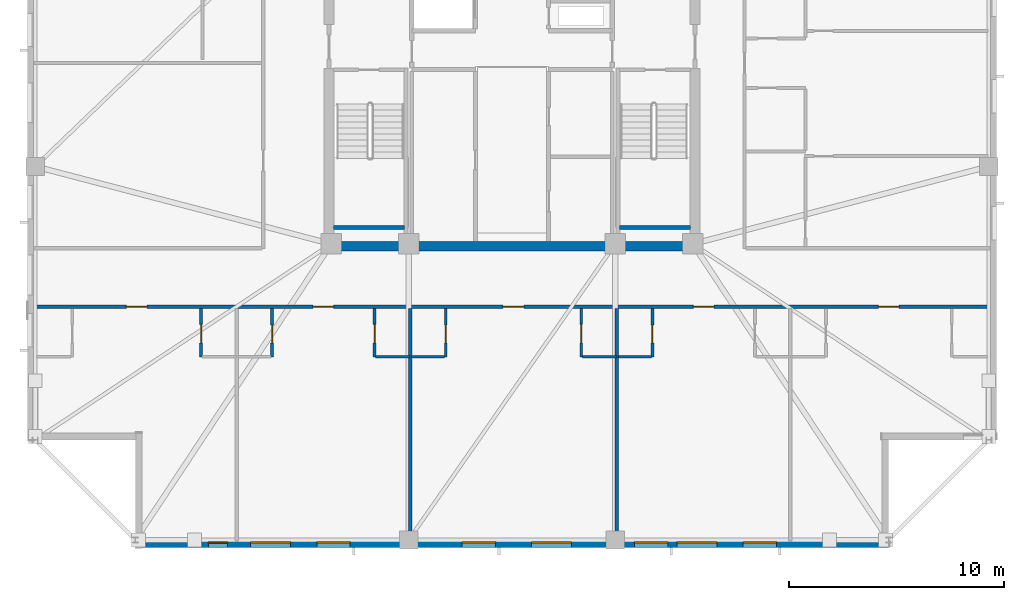
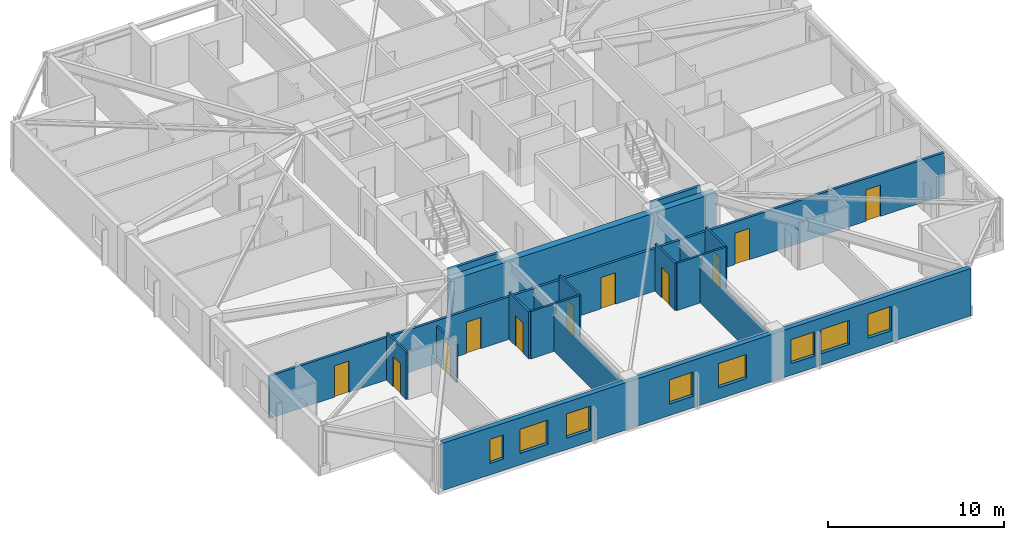
# One storey, part 7 of 17: 17 walls, 11 doors, 8 windows, 19 openings.
"""IFC4 building model written with IfcOpenShell, lengths in metres."""

from ifc_helpers import new_model, si_unit, direction, frame, frame_2d, origin, place, context, subcontext, project, spatial, rectangle, extrude, material, layer, layer_set, type_object, element, fill, save


model = new_model("IFC4")

# Units and contexts
model_context = context("Model", 3, precision=1e-05, world=origin(), true_north=direction((0.0, 1.0)))
body_context = subcontext(model_context, "Body", "Model", "MODEL_VIEW")
ifc_project = project(units=[si_unit("LENGTHUNIT", "METRE"), si_unit("AREAUNIT", "SQUARE_METRE"), si_unit("VOLUMEUNIT", "CUBIC_METRE"), si_unit("PLANEANGLEUNIT", "RADIAN"), si_unit("MASSUNIT", "GRAM", prefix="KILO")], contexts=[model_context])

# Site, building, storey
site_placement = place(None, origin())
site = spatial("IfcSite", under=ifc_project, at=site_placement, CompositionType="ELEMENT")
building_placement = place(site_placement, origin())
building = spatial("IfcBuilding", under=site, at=building_placement, Name="Cairnveth Concourse Tower", CompositionType="ELEMENT")
storey_placement = place(building_placement, frame((0.0, 0.0, 220.0)))
storey = spatial("IfcBuildingStorey", under=building, at=storey_placement, Name="L60", CompositionType="ELEMENT", Elevation=220.0)

# Wall, openings, doors
ifc_material_1 = material(Name="Gypsum Plasterboard Partition", Category="gypsum")
ifc_layer_1 = layer(ifc_material_1, 0.159912109375)
ifc_layer_set_1 = layer_set([ifc_layer_1], Name="Gypsum Plasterboard Partition")
wall_type_1 = type_object("IfcWallType", Name="ACOUSTIC PARTY WALL 180", PredefinedType="PARTITIONING", material=ifc_layer_set_1)
wall_1_placement = place(storey_placement, frame((29.804931640625, 27.68994140625, 0.0), z_axis=(0.0, 0.0, 1.0), x_axis=(1.0, 0.0, 0.0)))
wall_1 = element("IfcWall", 1, at=wall_1_placement, inside=storey, type_object=wall_type_1, Name="Interior Wall IW-L60-034", PredefinedType="PARTITIONING", context=body_context, shape_type="SweptSolid", body=[
    extrude(rectangle(XDim=44.39013671875, YDim=0.159912109375, at=frame_2d((22.195068359375, 0.0))), origin(), (0.0, 0.0, 1.0), 2.9580078125),
])
opening_1_placement = place(wall_1_placement, frame((4.278564453125, 0.0, 0.0)))
opening_1 = element("IfcOpeningElement", 2, at=opening_1_placement, cuts=wall_1, Name="Opening ID10", PredefinedType="OPENING", context=body_context, shape_type="SweptSolid", body=[
    extrude(rectangle(XDim=0.9599609375, YDim=2.179931640625, at=frame_2d((0.47998046875, 1.08984375))), frame((0.0, 0.08984375, 0.0), z_axis=(0.0, -1.0, 0.0), x_axis=(1.0, 0.0, 0.0)), (0.0, 0.0, 1.0), 0.179931640625),
])
opening_2_placement = place(wall_1_placement, frame((12.952880859375, 0.0, 0.0)))
opening_2 = element("IfcOpeningElement", 3, at=opening_2_placement, cuts=wall_1, Name="Opening ID10", PredefinedType="OPENING", context=body_context, shape_type="SweptSolid", body=[
    extrude(rectangle(XDim=0.9599609375, YDim=2.179931640625, at=frame_2d((0.47998046875, 1.08984375))), frame((0.0, 0.08984375, 0.0), z_axis=(0.0, -1.0, 0.0), x_axis=(1.0, 0.0, 0.0)), (0.0, 0.0, 1.0), 0.179931640625),
])
opening_3_placement = place(wall_1_placement, frame((21.784912109375, 0.0, 0.0)))
opening_3 = element("IfcOpeningElement", 4, at=opening_3_placement, cuts=wall_1, Name="Opening ID10", PredefinedType="OPENING", context=body_context, shape_type="SweptSolid", body=[
    extrude(rectangle(XDim=0.9599609375, YDim=2.179931640625, at=frame_2d((0.47998046875, 1.08984375))), frame((0.0, 0.08984375, 0.0), z_axis=(0.0, -1.0, 0.0), x_axis=(1.0, 0.0, 0.0)), (0.0, 0.0, 1.0), 0.179931640625),
])
opening_4_placement = place(wall_1_placement, frame((30.616943359375, 0.0, 0.0)))
opening_4 = element("IfcOpeningElement", 5, at=opening_4_placement, cuts=wall_1, Name="Opening ID10", PredefinedType="OPENING", context=body_context, shape_type="SweptSolid", body=[
    extrude(rectangle(XDim=0.9599609375, YDim=2.179931640625, at=frame_2d((0.47998046875, 1.08984375))), frame((0.0, 0.08984375, 0.0), z_axis=(0.0, -1.0, 0.0), x_axis=(1.0, 0.0, 0.0)), (0.0, 0.0, 1.0), 0.179931640625),
])
opening_5_placement = place(wall_1_placement, frame((39.221435546875, 0.0, 0.0)))
opening_5 = element("IfcOpeningElement", 6, at=opening_5_placement, cuts=wall_1, Name="Opening ID10", PredefinedType="OPENING", context=body_context, shape_type="SweptSolid", body=[
    extrude(rectangle(XDim=0.9599609375, YDim=2.179931640625, at=frame_2d((0.47998046875, 1.08984375))), frame((0.0, 0.08984375, 0.0), z_axis=(0.0, -1.0, 0.0), x_axis=(1.0, 0.0, 0.0)), (0.0, 0.0, 1.0), 0.179931640625),
])
ifc_material_2 = material(Name="Solid Core Hardwood Timber Leaf", Category="wood")
door_type_1 = type_object("IfcDoorType", Name="FLAT ENTRANCE DOOR 960X2150", OperationType="NOTDEFINED", PredefinedType="DOOR", material=ifc_material_2)
door_1_placement = place(opening_1_placement, origin())
door_1 = element("IfcDoor", 7, at=door_1_placement, inside=storey, type_object=door_type_1, Name="Studio L60STS1 Entrance Door", OperationType="SINGLE_SWING_LEFT", OverallHeight=2.179931640625, OverallWidth=0.9599609375, PredefinedType="DOOR", context=body_context, shape_type="SweptSolid", body=[
    extrude(rectangle(XDim=0.9599609375, YDim=2.179931640625, at=frame_2d((0.47998046875, 1.08984375))), frame((0.0, 0.02490234375, 0.0), z_axis=(0.0, -1.0, 0.0), x_axis=(1.0, 0.0, 0.0)), (0.0, 0.0, 1.0), 0.050048828125),
])
fill(opening_1, door_1)
door_2_placement = place(opening_2_placement, origin())
door_2 = element("IfcDoor", 8, at=door_2_placement, inside=storey, type_object=door_type_1, Name="Studio L60STS2 Entrance Door", OperationType="SINGLE_SWING_RIGHT", OverallHeight=2.179931640625, OverallWidth=0.9599609375, PredefinedType="DOOR", context=body_context, shape_type="SweptSolid", body=[
    extrude(rectangle(XDim=0.9599609375, YDim=2.179931640625, at=frame_2d((0.47998046875, 1.08984375))), frame((0.0, 0.02490234375, 0.0), z_axis=(0.0, -1.0, 0.0), x_axis=(1.0, 0.0, 0.0)), (0.0, 0.0, 1.0), 0.050048828125),
])
fill(opening_2, door_2)
door_3_placement = place(opening_3_placement, origin())
door_3 = element("IfcDoor", 9, at=door_3_placement, inside=storey, type_object=door_type_1, Name="Studio L60STS3 Entrance Door", OperationType="SINGLE_SWING_LEFT", OverallHeight=2.179931640625, OverallWidth=0.9599609375, PredefinedType="DOOR", context=body_context, shape_type="SweptSolid", body=[
    extrude(rectangle(XDim=0.9599609375, YDim=2.179931640625, at=frame_2d((0.47998046875, 1.08984375))), frame((0.0, 0.02490234375, 0.0), z_axis=(0.0, -1.0, 0.0), x_axis=(1.0, 0.0, 0.0)), (0.0, 0.0, 1.0), 0.050048828125),
])
fill(opening_3, door_3)
door_4_placement = place(opening_4_placement, origin())
door_4 = element("IfcDoor", 10, at=door_4_placement, inside=storey, type_object=door_type_1, Name="Studio L60STS4 Entrance Door", OperationType="SINGLE_SWING_RIGHT", OverallHeight=2.179931640625, OverallWidth=0.9599609375, PredefinedType="DOOR", context=body_context, shape_type="SweptSolid", body=[
    extrude(rectangle(XDim=0.9599609375, YDim=2.179931640625, at=frame_2d((0.47998046875, 1.08984375))), frame((0.0, 0.02490234375, 0.0), z_axis=(0.0, -1.0, 0.0), x_axis=(1.0, 0.0, 0.0)), (0.0, 0.0, 1.0), 0.050048828125),
])
fill(opening_4, door_4)
door_5_placement = place(opening_5_placement, origin())
door_5 = element("IfcDoor", 11, at=door_5_placement, inside=storey, type_object=door_type_1, Name="Studio L60STS5 Entrance Door", OperationType="SINGLE_SWING_LEFT", OverallHeight=2.179931640625, OverallWidth=0.9599609375, PredefinedType="DOOR", context=body_context, shape_type="SweptSolid", body=[
    extrude(rectangle(XDim=0.9599609375, YDim=2.179931640625, at=frame_2d((0.47998046875, 1.08984375))), frame((0.0, 0.02490234375, 0.0), z_axis=(0.0, -1.0, 0.0), x_axis=(1.0, 0.0, 0.0)), (0.0, 0.0, 1.0), 0.050048828125),
])
fill(opening_5, door_5)

# Walls
for number, where, z_axis, x_axis, name in (
    (12, (47.26904296875, 16.804931640625, 0.0), (0.0, 0.0, 1.0), (0.0, 1.0, 0.0), "Interior Wall IW-L60-051"),
    (13, (56.87109375, 16.804931640625, 0.0), (0.0, 0.0, 1.0), (0.0, 1.0, 0.0), "Interior Wall IW-L60-056"),
):
    element("IfcWall", number, at=place(storey_placement, frame(where, z_axis=z_axis, x_axis=x_axis)), inside=storey, type_object=wall_type_1, Name=name, PredefinedType="PARTITIONING", context=body_context, shape_type="SweptSolid", body=[
        extrude(rectangle(XDim=10.80517578125, YDim=0.159912109375, at=frame_2d((5.402587890625, 0.0))), origin(), (0.0, 0.0, 1.0), 2.572998046875),
    ])
ifc_material_3 = material(Name="Concrete N65 (65 MPa)", Category="concrete")
ifc_layer_2 = layer(ifc_material_3, 0.449951171875)
ifc_layer_set_2 = layer_set([ifc_layer_2], Name="Concrete N65 (65 MPa)")
wall_type_2 = type_object("IfcWallType", Name="CORE SHEAR WALL 450", PredefinedType="SHEAR", material=ifc_layer_set_2)
wall_2_placement = place(storey_placement, frame((43.27490234375, 30.5, 0.0), z_axis=(0.0, 0.0, 1.0), x_axis=(1.0, 0.0, 0.0)))
element("IfcWall", 14, at=wall_2_placement, inside=storey, type_object=wall_type_2, Name="Core South Shear Wall L60", PredefinedType="SHEAR", context=body_context, shape_type="SweptSolid", body=[
    extrude(rectangle(XDim=17.4501953125, YDim=0.449951171875, at=frame_2d((8.72509765625, 0.0))), origin(), (0.0, 0.0, 1.0), 3.2900390625),
])
ifc_material_4 = material(Name="Concrete N50 (50 MPa)", Category="concrete")
ifc_layer_3 = layer(ifc_material_4, 0.179931640625)
ifc_layer_set_3 = layer_set([ifc_layer_3], Name="Concrete N50 (50 MPa)")
wall_type_3 = type_object("IfcWallType", Name="FIRE SHAFT WALL 180", PredefinedType="SOLIDWALL", material=ifc_layer_set_3)
for number, where, z_axis, x_axis, name in (
    (15, (43.715087890625, 31.360107421875, 0.0), (0.0, 0.0, 1.0), (1.0, 0.0, 0.0), "Stair ST-1 Shaft Wall FAR L60"),
    (16, (57.0048828125, 31.360107421875, 0.0), (0.0, 0.0, 1.0), (1.0, 0.0, 0.0), "Stair ST-2 Shaft Wall FAR L60"),
):
    element("IfcWall", number, at=place(storey_placement, frame(where, z_axis=z_axis, x_axis=x_axis)), inside=storey, type_object=wall_type_3, Name=name, PredefinedType="SOLIDWALL", context=body_context, shape_type="SweptSolid", body=[
        extrude(rectangle(XDim=3.280029296875, YDim=0.179931640625, at=frame_2d((1.64013671875, 0.0))), origin(), (0.0, 0.0, 1.0), 3.2900390625),
    ])

# Wall, opening, door
ifc_layer_4 = layer(ifc_material_1, 0.1298828125)
ifc_layer_set_4 = layer_set([ifc_layer_4], Name="Gypsum Plasterboard Partition")
wall_type_4 = type_object("IfcWallType", Name="WET AREA PARTITION 140", PredefinedType="PLUMBINGWALL", material=ifc_layer_set_4)
wall_3_placement = place(storey_placement, frame((37.556884765625, 25.360107421875, 0.0), z_axis=(0.0, 0.0, 1.0), x_axis=(0.0, 1.0, 0.0)))
wall_3 = element("IfcWall", 17, at=wall_3_placement, inside=storey, type_object=wall_type_4, Name="Interior Wall IW-L60-044", PredefinedType="PLUMBINGWALL", context=body_context, shape_type="SweptSolid", body=[
    extrude(rectangle(XDim=2.25, YDim=0.1298828125, at=frame_2d((1.125, 0.0))), origin(), (0.0, 0.0, 1.0), 3.2900390625),
])
opening_6_placement = place(wall_3_placement, frame((0.64990234375, 0.0, 0.0)))
opening_6 = element("IfcOpeningElement", 18, at=opening_6_placement, cuts=wall_3, Name="Opening ID20", PredefinedType="OPENING", context=body_context, shape_type="SweptSolid", body=[
    extrude(rectangle(XDim=0.85009765625, YDim=2.10009765625, at=frame_2d((0.425048828125, 1.050048828125))), frame((0.0, 0.074951171875, 0.0), z_axis=(0.0, -1.0, 0.0), x_axis=(1.0, 0.0, 0.0)), (0.0, 0.0, 1.0), 0.14990234375),
])
door_type_2 = type_object("IfcDoorType", Name="INTERIOR SINGLE DOOR 850X2100", OperationType="NOTDEFINED", PredefinedType="DOOR", material=ifc_material_2)
door_6_placement = place(opening_6_placement, origin())
door_6 = element("IfcDoor", 19, at=door_6_placement, inside=storey, type_object=door_type_2, Name="L60STS1 Kitchen Door", OperationType="SINGLE_SWING_RIGHT", OverallHeight=2.10009765625, OverallWidth=0.85009765625, PredefinedType="DOOR", context=body_context, shape_type="SweptSolid", body=[
    extrude(rectangle(XDim=0.85009765625, YDim=2.10009765625, at=frame_2d((0.425048828125, 1.050048828125))), frame((0.0, 0.02490234375, 0.0), z_axis=(0.0, -1.0, 0.0), x_axis=(1.0, 0.0, 0.0)), (0.0, 0.0, 1.0), 0.050048828125),
])
fill(opening_6, door_6)

wall_4_placement = place(storey_placement, frame((40.85693359375, 25.360107421875, 0.0), z_axis=(0.0, 0.0, 1.0), x_axis=(0.0, 1.0, 0.0)))
wall_4 = element("IfcWall", 20, at=wall_4_placement, inside=storey, type_object=wall_type_4, Name="Interior Wall IW-L60-047", PredefinedType="PLUMBINGWALL", context=body_context, shape_type="SweptSolid", body=[
    extrude(rectangle(XDim=2.25, YDim=0.1298828125, at=frame_2d((1.125, 0.0))), origin(), (0.0, 0.0, 1.0), 2.572998046875),
])
opening_7_placement = place(wall_4_placement, frame((0.64990234375, 0.0, 0.0)))
opening_7 = element("IfcOpeningElement", 21, at=opening_7_placement, cuts=wall_4, Name="Opening ID22", PredefinedType="OPENING", context=body_context, shape_type="SweptSolid", body=[
    extrude(rectangle(XDim=0.820068359375, YDim=2.10009765625, at=frame_2d((0.41015625, 1.050048828125))), frame((0.0, 0.074951171875, 0.0), z_axis=(0.0, -1.0, 0.0), x_axis=(1.0, 0.0, 0.0)), (0.0, 0.0, 1.0), 0.14990234375),
])
door_type_3 = type_object("IfcDoorType", Name="INTERIOR WC DOOR 820X2100", OperationType="NOTDEFINED", PredefinedType="DOOR", material=ifc_material_2)
door_7_placement = place(opening_7_placement, origin())
door_7 = element("IfcDoor", 22, at=door_7_placement, inside=storey, type_object=door_type_3, Name="L60STS2 Bathroom Door", OperationType="SINGLE_SWING_RIGHT", OverallHeight=2.10009765625, OverallWidth=0.820068359375, PredefinedType="DOOR", context=body_context, shape_type="SweptSolid", body=[
    extrude(rectangle(XDim=0.820068359375, YDim=2.10009765625, at=frame_2d((0.41015625, 1.050048828125))), frame((0.0, 0.02490234375, 0.0), z_axis=(0.0, -1.0, 0.0), x_axis=(1.0, 0.0, 0.0)), (0.0, 0.0, 1.0), 0.050048828125),
])
fill(opening_7, door_7)

wall_5_placement = place(storey_placement, frame((45.618896484375, 25.360107421875, 0.0), z_axis=(0.0, 0.0, 1.0), x_axis=(0.0, 1.0, 0.0)))
wall_5 = element("IfcWall", 23, at=wall_5_placement, inside=storey, type_object=wall_type_4, Name="Interior Wall IW-L60-049", PredefinedType="PLUMBINGWALL", context=body_context, shape_type="SweptSolid", body=[
    extrude(rectangle(XDim=2.25, YDim=0.1298828125, at=frame_2d((1.125, 0.0))), origin(), (0.0, 0.0, 1.0), 3.2900390625),
])
opening_8_placement = place(wall_5_placement, frame((0.64990234375, 0.0, 0.0)))
opening_8 = element("IfcOpeningElement", 24, at=opening_8_placement, cuts=wall_5, Name="Opening ID20", PredefinedType="OPENING", context=body_context, shape_type="SweptSolid", body=[
    extrude(rectangle(XDim=0.85009765625, YDim=2.10009765625, at=frame_2d((0.425048828125, 1.050048828125))), frame((0.0, 0.074951171875, 0.0), z_axis=(0.0, -1.0, 0.0), x_axis=(1.0, 0.0, 0.0)), (0.0, 0.0, 1.0), 0.14990234375),
])
door_8_placement = place(opening_8_placement, origin())
door_8 = element("IfcDoor", 25, at=door_8_placement, inside=storey, type_object=door_type_2, Name="L60STS2 Kitchen Door", OperationType="SINGLE_SWING_LEFT", OverallHeight=2.10009765625, OverallWidth=0.85009765625, PredefinedType="DOOR", context=body_context, shape_type="SweptSolid", body=[
    extrude(rectangle(XDim=0.85009765625, YDim=2.10009765625, at=frame_2d((0.425048828125, 1.050048828125))), frame((0.0, 0.02490234375, 0.0), z_axis=(0.0, -1.0, 0.0), x_axis=(1.0, 0.0, 0.0)), (0.0, 0.0, 1.0), 0.050048828125),
])
fill(opening_8, door_8)

# Wall
wall_6_placement = place(storey_placement, frame((45.6689453125, 25.360107421875, 0.0), z_axis=(0.0, 0.0, 1.0), x_axis=(1.0, 0.0, 0.0)))
element("IfcWall", 26, at=wall_6_placement, inside=storey, type_object=wall_type_4, Name="Interior Wall IW-L60-050", PredefinedType="PLUMBINGWALL", context=body_context, shape_type="SweptSolid", body=[
    extrude(rectangle(XDim=1.60009765625, YDim=0.1298828125, at=frame_2d((0.800048828125, 0.0))), origin(), (0.0, 0.0, 1.0), 3.2900390625),
])

# Wall, opening, door
wall_7_placement = place(storey_placement, frame((48.9189453125, 25.360107421875, 0.0), z_axis=(0.0, 0.0, 1.0), x_axis=(0.0, 1.0, 0.0)))
wall_7 = element("IfcWall", 27, at=wall_7_placement, inside=storey, type_object=wall_type_4, Name="Interior Wall IW-L60-052", PredefinedType="PLUMBINGWALL", context=body_context, shape_type="SweptSolid", body=[
    extrude(rectangle(XDim=2.25, YDim=0.1298828125, at=frame_2d((1.125, 0.0))), origin(), (0.0, 0.0, 1.0), 3.2900390625),
])
opening_9_placement = place(wall_7_placement, frame((0.64990234375, 0.0, 0.0)))
opening_9 = element("IfcOpeningElement", 28, at=opening_9_placement, cuts=wall_7, Name="Opening ID22", PredefinedType="OPENING", context=body_context, shape_type="SweptSolid", body=[
    extrude(rectangle(XDim=0.820068359375, YDim=2.10009765625, at=frame_2d((0.41015625, 1.050048828125))), frame((0.0, 0.074951171875, 0.0), z_axis=(0.0, -1.0, 0.0), x_axis=(1.0, 0.0, 0.0)), (0.0, 0.0, 1.0), 0.14990234375),
])
door_9_placement = place(opening_9_placement, origin())
door_9 = element("IfcDoor", 29, at=door_9_placement, inside=storey, type_object=door_type_3, Name="L60STS3 Bathroom Door", OperationType="SINGLE_SWING_LEFT", OverallHeight=2.10009765625, OverallWidth=0.820068359375, PredefinedType="DOOR", context=body_context, shape_type="SweptSolid", body=[
    extrude(rectangle(XDim=0.820068359375, YDim=2.10009765625, at=frame_2d((0.41015625, 1.050048828125))), frame((0.0, 0.02490234375, 0.0), z_axis=(0.0, -1.0, 0.0), x_axis=(1.0, 0.0, 0.0)), (0.0, 0.0, 1.0), 0.050048828125),
])
fill(opening_9, door_9)

# Wall
wall_8_placement = place(storey_placement, frame((47.333984375, 25.360107421875, 0.0), z_axis=(0.0, 0.0, 1.0), x_axis=(1.0, 0.0, 0.0)))
element("IfcWall", 30, at=wall_8_placement, inside=storey, type_object=wall_type_4, Name="Interior Wall IW-L60-053", PredefinedType="PLUMBINGWALL", context=body_context, shape_type="SweptSolid", body=[
    extrude(rectangle(XDim=1.534912109375, YDim=0.1298828125, at=frame_2d((0.767578125, 0.0))), origin(), (0.0, 0.0, 1.0), 3.2900390625),
])

# Wall, opening, door
wall_9_placement = place(storey_placement, frame((55.220947265625, 25.360107421875, 0.0), z_axis=(0.0, 0.0, 1.0), x_axis=(0.0, 1.0, 0.0)))
wall_9 = element("IfcWall", 31, at=wall_9_placement, inside=storey, type_object=wall_type_4, Name="Interior Wall IW-L60-054", PredefinedType="PLUMBINGWALL", context=body_context, shape_type="SweptSolid", body=[
    extrude(rectangle(XDim=2.25, YDim=0.1298828125, at=frame_2d((1.125, 0.0))), origin(), (0.0, 0.0, 1.0), 3.2900390625),
])
opening_10_placement = place(wall_9_placement, frame((0.64990234375, 0.0, 0.0)))
opening_10 = element("IfcOpeningElement", 32, at=opening_10_placement, cuts=wall_9, Name="Opening ID20", PredefinedType="OPENING", context=body_context, shape_type="SweptSolid", body=[
    extrude(rectangle(XDim=0.85009765625, YDim=2.10009765625, at=frame_2d((0.425048828125, 1.050048828125))), frame((0.0, 0.074951171875, 0.0), z_axis=(0.0, -1.0, 0.0), x_axis=(1.0, 0.0, 0.0)), (0.0, 0.0, 1.0), 0.14990234375),
])
door_10_placement = place(opening_10_placement, origin())
door_10 = element("IfcDoor", 33, at=door_10_placement, inside=storey, type_object=door_type_2, Name="L60STS3 Kitchen Door", OperationType="SINGLE_SWING_RIGHT", OverallHeight=2.10009765625, OverallWidth=0.85009765625, PredefinedType="DOOR", context=body_context, shape_type="SweptSolid", body=[
    extrude(rectangle(XDim=0.85009765625, YDim=2.10009765625, at=frame_2d((0.425048828125, 1.050048828125))), frame((0.0, 0.02490234375, 0.0), z_axis=(0.0, -1.0, 0.0), x_axis=(1.0, 0.0, 0.0)), (0.0, 0.0, 1.0), 0.050048828125),
])
fill(opening_10, door_10)

# Wall
wall_10_placement = place(storey_placement, frame((55.27099609375, 25.360107421875, 0.0), z_axis=(0.0, 0.0, 1.0), x_axis=(1.0, 0.0, 0.0)))
element("IfcWall", 34, at=wall_10_placement, inside=storey, type_object=wall_type_4, Name="Interior Wall IW-L60-055", PredefinedType="PLUMBINGWALL", context=body_context, shape_type="SweptSolid", body=[
    extrude(rectangle(XDim=1.60009765625, YDim=0.1298828125, at=frame_2d((0.800048828125, 0.0))), origin(), (0.0, 0.0, 1.0), 3.2900390625),
])

# Wall, opening, door
wall_11_placement = place(storey_placement, frame((58.52099609375, 25.360107421875, 0.0), z_axis=(0.0, 0.0, 1.0), x_axis=(0.0, 1.0, 0.0)))
wall_11 = element("IfcWall", 35, at=wall_11_placement, inside=storey, type_object=wall_type_4, Name="Interior Wall IW-L60-057", PredefinedType="PLUMBINGWALL", context=body_context, shape_type="SweptSolid", body=[
    extrude(rectangle(XDim=2.25, YDim=0.1298828125, at=frame_2d((1.125, 0.0))), origin(), (0.0, 0.0, 1.0), 3.2900390625),
])
opening_11_placement = place(wall_11_placement, frame((0.64990234375, 0.0, 0.0)))
opening_11 = element("IfcOpeningElement", 36, at=opening_11_placement, cuts=wall_11, Name="Opening ID22", PredefinedType="OPENING", context=body_context, shape_type="SweptSolid", body=[
    extrude(rectangle(XDim=0.820068359375, YDim=2.10009765625, at=frame_2d((0.41015625, 1.050048828125))), frame((0.0, 0.074951171875, 0.0), z_axis=(0.0, -1.0, 0.0), x_axis=(1.0, 0.0, 0.0)), (0.0, 0.0, 1.0), 0.14990234375),
])
door_11_placement = place(opening_11_placement, origin())
door_11 = element("IfcDoor", 37, at=door_11_placement, inside=storey, type_object=door_type_3, Name="L60STS4 Bathroom Door", OperationType="SINGLE_SWING_RIGHT", OverallHeight=2.10009765625, OverallWidth=0.820068359375, PredefinedType="DOOR", context=body_context, shape_type="SweptSolid", body=[
    extrude(rectangle(XDim=0.820068359375, YDim=2.10009765625, at=frame_2d((0.41015625, 1.050048828125))), frame((0.0, 0.02490234375, 0.0), z_axis=(0.0, -1.0, 0.0), x_axis=(1.0, 0.0, 0.0)), (0.0, 0.0, 1.0), 0.050048828125),
])
fill(opening_11, door_11)

# Wall
wall_12_placement = place(storey_placement, frame((56.93603515625, 25.360107421875, 0.0), z_axis=(0.0, 0.0, 1.0), x_axis=(1.0, 0.0, 0.0)))
element("IfcWall", 38, at=wall_12_placement, inside=storey, type_object=wall_type_4, Name="Interior Wall IW-L60-058", PredefinedType="PLUMBINGWALL", context=body_context, shape_type="SweptSolid", body=[
    extrude(rectangle(XDim=1.534912109375, YDim=0.1298828125, at=frame_2d((0.767578125, 0.0))), origin(), (0.0, 0.0, 1.0), 3.2900390625),
])

# Wall, openings, windows
ifc_material_5 = material(Name="Melbourne Buff Fired Clay Brick Masonry", Category="masonry")
ifc_layer_5 = layer(ifc_material_5, 0.320068359375)
ifc_layer_set_5 = layer_set([ifc_layer_5], Name="Melbourne Buff Fired Clay Brick Masonry")
wall_type_5 = type_object("IfcWallType", Name="ZONE 3 BRICK PIER SPANDREL WALL 320", PredefinedType="SOLIDWALL", material=ifc_layer_set_5)
wall_13_placement = place(storey_placement, frame((69.5, 16.659912109375, 0.0), z_axis=(0.0, 0.0, 1.0), x_axis=(-1.0, 0.0, 0.0)))
wall_13 = element("IfcWall", 39, at=wall_13_placement, inside=storey, type_object=wall_type_5, Name="Exterior Wall EW-L60-S06", PredefinedType="SOLIDWALL", context=body_context, shape_type="SweptSolid", body=[
    extrude(rectangle(XDim=34.701904296875, YDim=0.320068359375, at=frame_2d((17.35107421875, 0.0))), origin(), (0.0, 0.0, 1.0), 3.2900390625),
])
opening_12_placement = place(wall_13_placement, frame((5.212646484375, 0.0, 0.800048828125)))
opening_12 = element("IfcOpeningElement", 40, at=opening_12_placement, cuts=wall_13, Name="Opening W07", PredefinedType="OPENING", context=body_context, shape_type="SweptSolid", body=[
    extrude(rectangle(XDim=1.550048828125, YDim=1.677978515625, at=frame_2d((0.77490234375, 0.8388671875))), frame((0.0, 0.169921875, 0.0), z_axis=(0.0, -1.0, 0.0), x_axis=(1.0, 0.0, 0.0)), (0.0, 0.0, 1.0), 0.340087890625),
])
opening_13_placement = place(wall_13_placement, frame((7.98779296875, 0.0, 0.800048828125)))
opening_13 = element("IfcOpeningElement", 41, at=opening_13_placement, cuts=wall_13, Name="Opening W08", PredefinedType="OPENING", context=body_context, shape_type="SweptSolid", body=[
    extrude(rectangle(XDim=1.85009765625, YDim=1.677978515625, at=frame_2d((0.925048828125, 0.8388671875))), frame((0.0, 0.169921875, 0.0), z_axis=(0.0, -1.0, 0.0), x_axis=(1.0, 0.0, 0.0)), (0.0, 0.0, 1.0), 0.340087890625),
])
opening_14_placement = place(wall_13_placement, frame((10.26318359375, 0.0, 0.800048828125)))
opening_14 = element("IfcOpeningElement", 42, at=opening_14_placement, cuts=wall_13, Name="Opening W07", PredefinedType="OPENING", context=body_context, shape_type="SweptSolid", body=[
    extrude(rectangle(XDim=1.550048828125, YDim=1.677978515625, at=frame_2d((0.77490234375, 0.8388671875))), frame((0.0, 0.169921875, 0.0), z_axis=(0.0, -1.0, 0.0), x_axis=(1.0, 0.0, 0.0)), (0.0, 0.0, 1.0), 0.340087890625),
])
opening_15_placement = place(wall_13_placement, frame((14.73828125, 0.0, 0.800048828125)))
opening_15 = element("IfcOpeningElement", 43, at=opening_15_placement, cuts=wall_13, Name="Opening W08", PredefinedType="OPENING", context=body_context, shape_type="SweptSolid", body=[
    extrude(rectangle(XDim=1.85009765625, YDim=1.677978515625, at=frame_2d((0.925048828125, 0.8388671875))), frame((0.0, 0.169921875, 0.0), z_axis=(0.0, -1.0, 0.0), x_axis=(1.0, 0.0, 0.0)), (0.0, 0.0, 1.0), 0.340087890625),
])
opening_16_placement = place(wall_13_placement, frame((18.263671875, 0.0, 0.800048828125)))
opening_16 = element("IfcOpeningElement", 44, at=opening_16_placement, cuts=wall_13, Name="Opening W07", PredefinedType="OPENING", context=body_context, shape_type="SweptSolid", body=[
    extrude(rectangle(XDim=1.550048828125, YDim=1.677978515625, at=frame_2d((0.77490234375, 0.8388671875))), frame((0.0, 0.169921875, 0.0), z_axis=(0.0, -1.0, 0.0), x_axis=(1.0, 0.0, 0.0)), (0.0, 0.0, 1.0), 0.340087890625),
])
opening_17_placement = place(wall_13_placement, frame((25.01416015625, 0.0, 0.800048828125)))
opening_17 = element("IfcOpeningElement", 45, at=opening_17_placement, cuts=wall_13, Name="Opening W07", PredefinedType="OPENING", context=body_context, shape_type="SweptSolid", body=[
    extrude(rectangle(XDim=1.550048828125, YDim=1.677978515625, at=frame_2d((0.77490234375, 0.8388671875))), frame((0.0, 0.169921875, 0.0), z_axis=(0.0, -1.0, 0.0), x_axis=(1.0, 0.0, 0.0)), (0.0, 0.0, 1.0), 0.340087890625),
])
opening_18_placement = place(wall_13_placement, frame((27.789306640625, 0.0, 0.800048828125)))
opening_18 = element("IfcOpeningElement", 46, at=opening_18_placement, cuts=wall_13, Name="Opening W08", PredefinedType="OPENING", context=body_context, shape_type="SweptSolid", body=[
    extrude(rectangle(XDim=1.85009765625, YDim=1.677978515625, at=frame_2d((0.925048828125, 0.8388671875))), frame((0.0, 0.169921875, 0.0), z_axis=(0.0, -1.0, 0.0), x_axis=(1.0, 0.0, 0.0)), (0.0, 0.0, 1.0), 0.340087890625),
])
opening_19_placement = place(wall_13_placement, frame((30.7099609375, 0.0, 0.800048828125)))
opening_19 = element("IfcOpeningElement", 47, at=opening_19_placement, cuts=wall_13, Name="Opening W13", PredefinedType="OPENING", context=body_context, shape_type="SweptSolid", body=[
    extrude(rectangle(XDim=0.89990234375, YDim=1.677978515625, at=frame_2d((0.449951171875, 0.8388671875))), frame((0.0, 0.169921875, 0.0), z_axis=(0.0, -1.0, 0.0), x_axis=(1.0, 0.0, 0.0)), (0.0, 0.0, 1.0), 0.340087890625),
])
ifc_material_6 = material(Name="Double Glazed Low-E Clear Glass", Category="glass")
window_type_1 = type_object("IfcWindowType", Name="DEEP-SET APARTMENT LIVING WINDOW 1850X1850", PartitioningType="DOUBLE_PANEL_VERTICAL", PredefinedType="WINDOW", material=ifc_material_6)
window_1_placement = place(opening_13_placement, origin())
window_1 = element("IfcWindow", 48, at=window_1_placement, inside=storey, type_object=window_type_1, Name="Gothic Lancet Window L60-6-2", OverallHeight=1.677978515625, OverallWidth=1.85009765625, PartitioningType="SINGLE_PANEL", PredefinedType="WINDOW", context=body_context, shape_type="SweptSolid", body=[
    extrude(rectangle(XDim=1.85009765625, YDim=1.677978515625, at=frame_2d((0.925048828125, 0.8388671875))), frame((0.0, -0.050048828125, 0.0), z_axis=(0.0, -1.0, 0.0), x_axis=(1.0, 0.0, 0.0)), (0.0, 0.0, 1.0), 0.06005859375),
])
fill(opening_13, window_1)
window_2_placement = place(opening_15_placement, origin())
window_2 = element("IfcWindow", 49, at=window_2_placement, inside=storey, type_object=window_type_1, Name="Gothic Lancet Window L60-6-4", OverallHeight=1.677978515625, OverallWidth=1.85009765625, PartitioningType="SINGLE_PANEL", PredefinedType="WINDOW", context=body_context, shape_type="SweptSolid", body=[
    extrude(rectangle(XDim=1.85009765625, YDim=1.677978515625, at=frame_2d((0.925048828125, 0.8388671875))), frame((0.0, -0.050048828125, 0.0), z_axis=(0.0, -1.0, 0.0), x_axis=(1.0, 0.0, 0.0)), (0.0, 0.0, 1.0), 0.06005859375),
])
fill(opening_15, window_2)
window_3_placement = place(opening_18_placement, origin())
window_3 = element("IfcWindow", 50, at=window_3_placement, inside=storey, type_object=window_type_1, Name="Gothic Lancet Window L60-6-8", OverallHeight=1.677978515625, OverallWidth=1.85009765625, PartitioningType="SINGLE_PANEL", PredefinedType="WINDOW", context=body_context, shape_type="SweptSolid", body=[
    extrude(rectangle(XDim=1.85009765625, YDim=1.677978515625, at=frame_2d((0.925048828125, 0.8388671875))), frame((0.0, -0.050048828125, 0.0), z_axis=(0.0, -1.0, 0.0), x_axis=(1.0, 0.0, 0.0)), (0.0, 0.0, 1.0), 0.06005859375),
])
fill(opening_18, window_3)
window_type_2 = type_object("IfcWindowType", Name="DEEP-SET APARTMENT WINDOW 1550X1800", PartitioningType="DOUBLE_PANEL_VERTICAL", PredefinedType="WINDOW", material=ifc_material_6)
window_4_placement = place(opening_12_placement, origin())
window_4 = element("IfcWindow", 51, at=window_4_placement, inside=storey, type_object=window_type_2, Name="Gothic Lancet Window L60-6-1", OverallHeight=1.677978515625, OverallWidth=1.550048828125, PartitioningType="SINGLE_PANEL", PredefinedType="WINDOW", context=body_context, shape_type="SweptSolid", body=[
    extrude(rectangle(XDim=1.550048828125, YDim=1.677978515625, at=frame_2d((0.77490234375, 0.8388671875))), frame((0.0, -0.050048828125, 0.0), z_axis=(0.0, -1.0, 0.0), x_axis=(1.0, 0.0, 0.0)), (0.0, 0.0, 1.0), 0.06005859375),
])
fill(opening_12, window_4)
window_5_placement = place(opening_14_placement, origin())
window_5 = element("IfcWindow", 52, at=window_5_placement, inside=storey, type_object=window_type_2, Name="Gothic Lancet Window L60-6-3", OverallHeight=1.677978515625, OverallWidth=1.550048828125, PartitioningType="SINGLE_PANEL", PredefinedType="WINDOW", context=body_context, shape_type="SweptSolid", body=[
    extrude(rectangle(XDim=1.550048828125, YDim=1.677978515625, at=frame_2d((0.77490234375, 0.8388671875))), frame((0.0, -0.050048828125, 0.0), z_axis=(0.0, -1.0, 0.0), x_axis=(1.0, 0.0, 0.0)), (0.0, 0.0, 1.0), 0.06005859375),
])
fill(opening_14, window_5)
window_6_placement = place(opening_16_placement, origin())
window_6 = element("IfcWindow", 53, at=window_6_placement, inside=storey, type_object=window_type_2, Name="Gothic Lancet Window L60-6-5", OverallHeight=1.677978515625, OverallWidth=1.550048828125, PartitioningType="SINGLE_PANEL", PredefinedType="WINDOW", context=body_context, shape_type="SweptSolid", body=[
    extrude(rectangle(XDim=1.550048828125, YDim=1.677978515625, at=frame_2d((0.77490234375, 0.8388671875))), frame((0.0, -0.050048828125, 0.0), z_axis=(0.0, -1.0, 0.0), x_axis=(1.0, 0.0, 0.0)), (0.0, 0.0, 1.0), 0.06005859375),
])
fill(opening_16, window_6)
window_7_placement = place(opening_17_placement, origin())
window_7 = element("IfcWindow", 54, at=window_7_placement, inside=storey, type_object=window_type_2, Name="Gothic Lancet Window L60-6-7", OverallHeight=1.677978515625, OverallWidth=1.550048828125, PartitioningType="SINGLE_PANEL", PredefinedType="WINDOW", context=body_context, shape_type="SweptSolid", body=[
    extrude(rectangle(XDim=1.550048828125, YDim=1.677978515625, at=frame_2d((0.77490234375, 0.8388671875))), frame((0.0, -0.050048828125, 0.0), z_axis=(0.0, -1.0, 0.0), x_axis=(1.0, 0.0, 0.0)), (0.0, 0.0, 1.0), 0.06005859375),
])
fill(opening_17, window_7)
window_type_3 = type_object("IfcWindowType", Name="DEEP-SET BEDROOM LANCET WINDOW 900X1750", PartitioningType="DOUBLE_PANEL_VERTICAL", PredefinedType="WINDOW", material=ifc_material_6)
window_8_placement = place(opening_19_placement, origin())
window_8 = element("IfcWindow", 55, at=window_8_placement, inside=storey, type_object=window_type_3, Name="Dwelling Lancet Window L60-DW1", OverallHeight=1.677978515625, OverallWidth=0.89990234375, PartitioningType="SINGLE_PANEL", PredefinedType="WINDOW", context=body_context, shape_type="SweptSolid", body=[
    extrude(rectangle(XDim=0.89990234375, YDim=1.677978515625, at=frame_2d((0.449951171875, 0.8388671875))), frame((0.0, -0.0400390625, 0.0), z_axis=(0.0, -1.0, 0.0), x_axis=(1.0, 0.0, 0.0)), (0.0, 0.0, 1.0), 0.06005859375),
])
fill(opening_19, window_8)

save(model, "model.ifc")
